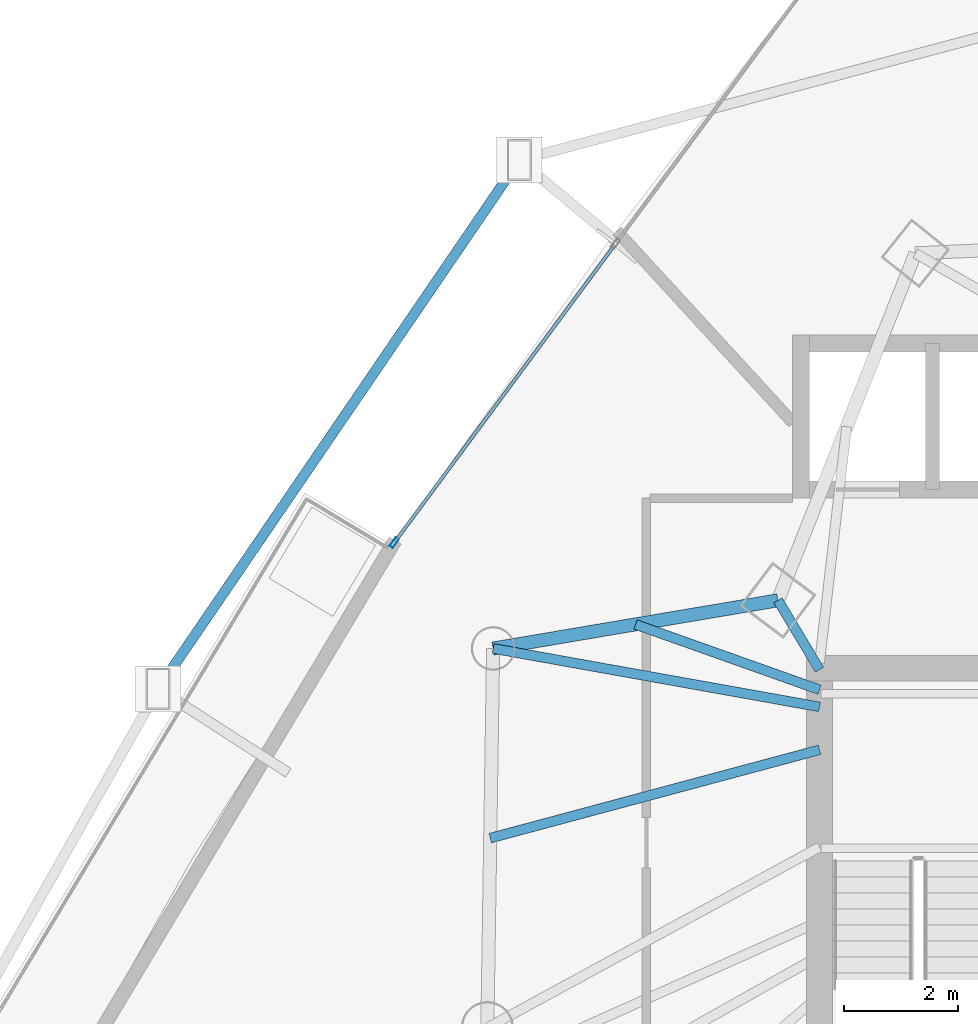
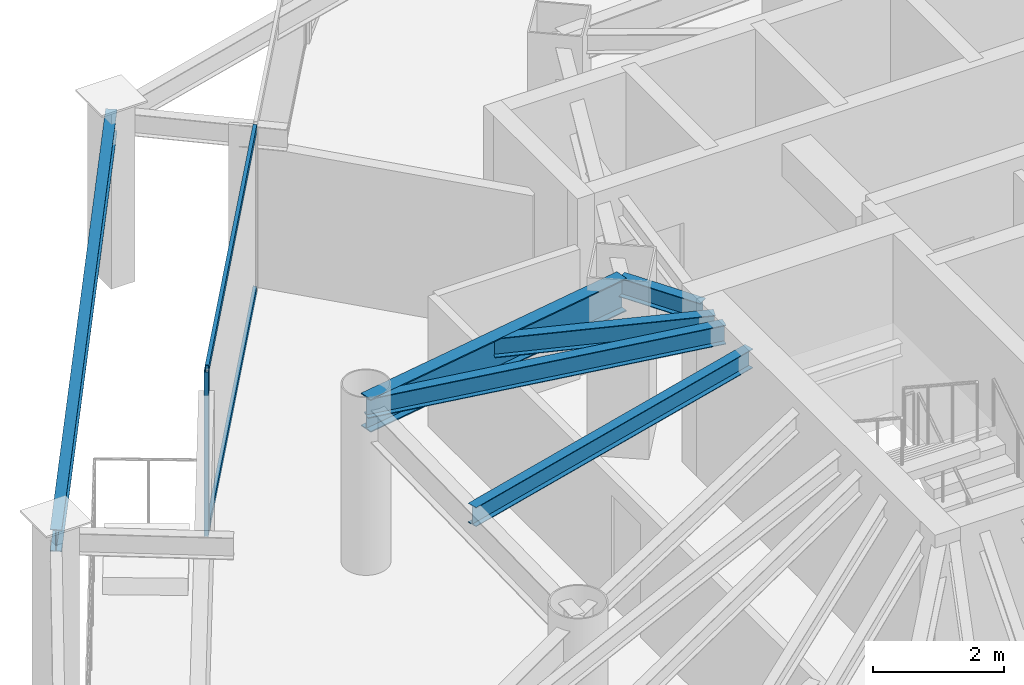
# One storey, part 22 of 35: 6 beams, 3 members, 1 element without a shape of its own.
"""IFC4 building model written with IfcOpenShell, lengths in metres."""

from ifc_helpers import new_model, si_unit, direction, frame, origin, origin_2d, place, context, subcontext, project, spatial, hollow_rectangle, i_section, extrude, material, layer, layer_set, material_profile, profile_set, type_object, element, aggregate, save


model = new_model("IFC4")

# Units and contexts
model_context = context("Model", 3, precision=1e-05, world=origin(), true_north=direction((0.0, 1.0)))
body_context = subcontext(model_context, "Body", "Model", "MODEL_VIEW")
ifc_project = project(units=[si_unit("LENGTHUNIT", "METRE"), si_unit("AREAUNIT", "SQUARE_METRE"), si_unit("VOLUMEUNIT", "CUBIC_METRE"), si_unit("PLANEANGLEUNIT", "RADIAN"), si_unit("MASSUNIT", "GRAM", prefix="KILO")], contexts=[model_context])

# Site, building, storey
site_placement = place(None, origin())
site = spatial("IfcSite", under=ifc_project, at=site_placement, CompositionType="ELEMENT")
building_placement = place(site_placement, origin())
building = spatial("IfcBuilding", under=site, at=building_placement, Name="Orvanel Arch Residences", CompositionType="ELEMENT")
storey_placement = place(building_placement, frame((0.0, 0.0, 30.199951171875)))
storey = spatial("IfcBuildingStorey", under=building, at=storey_placement, Name="L07", CompositionType="ELEMENT", Elevation=30.199951171875)

# Beams
ifc_material_1 = material(Name="Structural steel AS/NZS 3679.1 Grade 300 (300 MPa)", Category="steel")
ifc_material_profile_1 = material_profile(ifc_material_1, i_section(OverallWidth=0.1708984375, OverallDepth=0.35595703125, WebThickness=0.00732421875, FlangeThickness=0.011474609375, at=origin_2d()), Name="360UB50.7")
ifc_profile_set_1 = profile_set([ifc_material_profile_1], Name="Structural steel AS/NZS 3679.1 Grade 300 (300 MPa)")
beam_type_1 = type_object("IfcBeamType", Name="BJ-360UB", PredefinedType="JOIST", material=ifc_profile_set_1)
beam_1_placement = place(storey_placement, frame((26.375, 33.89990234375, 2.882080078125), z_axis=(-0.514064138778, 0.857751748015, 0.0), x_axis=(-0.857751748015, -0.514064138778, 0.0)))
element("IfcBeam", 1, at=beam_1_placement, inside=storey, type_object=beam_type_1, Name="L07 NNW Wing Floor Joist", PredefinedType="JOIST", context=body_context, shape_type="SweptSolid", body=[
    extrude(i_section(OverallWidth=0.1708984375, OverallDepth=0.35595703125, WebThickness=0.00732421875, FlangeThickness=0.011474609375, at=origin_2d()), origin(), (0.0, 0.0, 1.0), 1.414306640625),
])
beam_2_placement = place(storey_placement, frame((26.375, 32.5, 2.882080078125), z_axis=(-0.965844838168, -0.259121107949, 0.0), x_axis=(0.259121107949, -0.965844838168, 0.0)))
element("IfcBeam", 2, at=beam_2_placement, inside=storey, type_object=beam_type_1, Name="L07 WNW Wing Floor Joist", PredefinedType="JOIST", context=body_context, shape_type="SweptSolid", body=[
    extrude(i_section(OverallWidth=0.1708984375, OverallDepth=0.35595703125, WebThickness=0.00732421875, FlangeThickness=0.011474609375, at=origin_2d()), origin(), (0.0, 0.0, 1.0), 5.95849609375),
])
beam_3_placement = place(storey_placement, frame((26.375, 33.25, 2.882080078125), z_axis=(-0.984360855662, 0.176163860766, 0.0), x_axis=(-0.176163860766, -0.984360855662, 0.0)))
element("IfcBeam", 3, at=beam_3_placement, inside=storey, type_object=beam_type_1, Name="L07 LW Wing Floor Joist", PredefinedType="JOIST", context=body_context, shape_type="SweptSolid", body=[
    extrude(i_section(OverallWidth=0.1708984375, OverallDepth=0.35595703125, WebThickness=0.00732421875, FlangeThickness=0.011474609375, at=origin_2d()), origin(), (0.0, 0.0, 1.0), 5.795654296875),
])
beam_4_placement = place(storey_placement, frame((26.375, 33.550048828125, 2.882080078125), z_axis=(-0.942366638377, 0.334582006201, 0.0), x_axis=(-0.334582006201, -0.942366638377, 0.0)))
element("IfcBeam", 4, at=beam_4_placement, inside=storey, type_object=beam_type_1, Name="L07 JADD3 Wing Floor Joist", PredefinedType="JOIST", context=body_context, shape_type="SweptSolid", body=[
    extrude(i_section(OverallWidth=0.1708984375, OverallDepth=0.35595703125, WebThickness=0.00732421875, FlangeThickness=0.011474609375, at=origin_2d()), origin(), (0.0, 0.0, 1.0), 3.412841796875),
])

# Curtain wall, member
ifc_material_2 = material(Name="Bronze-anodised aluminium AA6063-T6", Category="aluminium")
ifc_layer = layer(ifc_material_2, 0.179931640625)
ifc_layer_set = layer_set([ifc_layer], Name="Bronze-anodised aluminium AA6063-T6")
curtain_wall_type = type_object("IfcCurtainWallType", Name="CW2-LOW-SYS", PredefinedType="NOTDEFINED", material=ifc_layer_set)
curtain_wall_placement = place(storey_placement, origin())
curtain_wall = element("IfcCurtainWall", 5, at=curtain_wall_placement, inside=storey, type_object=curtain_wall_type, Name="L07 CW2-LOW-SYS Unitised Curtain Wall", PredefinedType="NOTDEFINED")
ifc_material_profile_2 = material_profile(ifc_material_2, hollow_rectangle(XDim=0.070068359375, YDim=0.179931640625, WallThickness=0.00439453125, at=origin_2d()), Name="ALU180x70x4.5")
ifc_profile_set_2 = profile_set([ifc_material_profile_2], Name="Bronze-anodised aluminium AA6063-T6")
member_type_1 = type_object("IfcMemberType", Name="MUL-180x70", PredefinedType="MULLION", material=ifc_profile_set_2)
member_1_placement = place(storey_placement, frame((18.93994140625, 36.1201171875, 0.0), z_axis=(0.0, 0.0, 1.0), x_axis=(0.803638489605, -0.595117785002, 0.0)))
member_1 = element("IfcMember", 6, at=member_1_placement, type_object=member_type_1, Name="CW-S2 mullion 3", PredefinedType="MULLION", context=body_context, shape_type="SweptSolid", body=[
    extrude(hollow_rectangle(XDim=0.070068359375, YDim=0.179931640625, WallThickness=0.00439453125, at=origin_2d()), origin(), (0.0, 0.0, 1.0), 3.06005859375),
])

# Beams
ifc_material_profile_3 = material_profile(ifc_material_1, i_section(OverallWidth=0.177978515625, OverallDepth=0.406005859375, WebThickness=0.0078125, FlangeThickness=0.0126953125, at=origin_2d()), Name="410UB59.7")
ifc_profile_set_3 = profile_set([ifc_material_profile_3], Name="Structural steel AS/NZS 3679.1 Grade 300 (300 MPa)")
beam_type_2 = type_object("IfcBeamType", Name="OB-410UB-EXT", PredefinedType="SPANDREL", material=ifc_profile_set_3)
beam_5_placement = place(storey_placement, frame((21.126953125, 42.80908203125, 2.85693359375), z_axis=(-0.563897070234, -0.825845078802, 0.0), x_axis=(0.825845078802, -0.563897070234, 0.0)))
element("IfcBeam", 7, at=beam_5_placement, inside=storey, type_object=beam_type_2, Name="L07 Outer Perimeter Floor Ring Beam 01", PredefinedType="SPANDREL", context=body_context, shape_type="SweptSolid", body=[
    extrude(i_section(OverallWidth=0.177978515625, OverallDepth=0.406005859375, WebThickness=0.0078125, FlangeThickness=0.0126953125, at=origin_2d()), origin(), (0.0, 0.0, 1.0), 11.193603515625),
])
ifc_material_profile_4 = material_profile(ifc_material_1, i_section(OverallWidth=0.22900390625, OverallDepth=0.612060546875, WebThickness=0.011962890625, FlangeThickness=0.01953125, at=origin_2d()), Name="610UB125")
ifc_profile_set_4 = profile_set([ifc_material_profile_4], Name="Structural steel AS/NZS 3679.1 Grade 300 (300 MPa)")
beam_type_3 = type_object("IfcBeamType", Name="SP-610UB", PredefinedType="SPANDREL", material=ifc_profile_set_4)
beam_6_placement = place(storey_placement, frame((25.64794921875, 35.113037109375, 2.754150390625), z_axis=(-0.985993733897, -0.166782363326, 0.0), x_axis=(0.166782363326, -0.985993733897, 0.0)))
element("IfcBeam", 8, at=beam_6_placement, inside=storey, type_object=beam_type_3, Name="L07 Perimeter Spandrel Beam 19", PredefinedType="SPANDREL", context=body_context, shape_type="SweptSolid", body=[
    extrude(i_section(OverallWidth=0.22900390625, OverallDepth=0.612060546875, WebThickness=0.011962890625, FlangeThickness=0.01953125, at=origin_2d()), origin(), (0.0, 0.0, 1.0), 5.048828125),
])

# Member
ifc_material_profile_5 = material_profile(ifc_material_2, hollow_rectangle(XDim=0.06005859375, YDim=0.135009765625, WallThickness=0.00390625, at=origin_2d()), Name="ALU135x60x4")
ifc_profile_set_5 = profile_set([ifc_material_profile_5], Name="Bronze-anodised aluminium AA6063-T6")
member_type_2 = type_object("IfcMemberType", Name="TRN-135x60", PredefinedType="USERDEFINED", material=ifc_profile_set_5)
member_2_placement = place(storey_placement, frame((22.7880859375, 41.31689453125, 0.030029296875), z_axis=(-0.595099541417, -0.803651999192, 0.0), x_axis=(0.803651999192, -0.595099541417, 0.0)))
member_2 = element("IfcMember", 9, at=member_2_placement, type_object=member_type_2, Name="CW-S2 transom 2.1", ObjectType="TRANSOM", PredefinedType="USERDEFINED", context=body_context, shape_type="SweptSolid", body=[
    extrude(hollow_rectangle(XDim=0.06005859375, YDim=0.135009765625, WallThickness=0.00390625, at=origin_2d()), origin(), (0.0, 0.0, 1.0), 6.431396484375),
])

member_3_placement = place(storey_placement, frame((22.7880859375, 41.31689453125, 3.030029296875), z_axis=(-0.595099541417, -0.803651999192, 0.0), x_axis=(0.803651999192, -0.595099541417, 0.0)))
member_3 = element("IfcMember", 10, at=member_3_placement, type_object=member_type_2, Name="CW-S2 transom 2.2", ObjectType="TRANSOM", PredefinedType="USERDEFINED", context=body_context, shape_type="SweptSolid", body=[
    extrude(hollow_rectangle(XDim=0.06005859375, YDim=0.135009765625, WallThickness=0.00390625, at=origin_2d()), origin(), (0.0, 0.0, 1.0), 6.431396484375),
])

aggregate(curtain_wall, [member_1, member_2, member_3])

save(model, "model.ifc")
